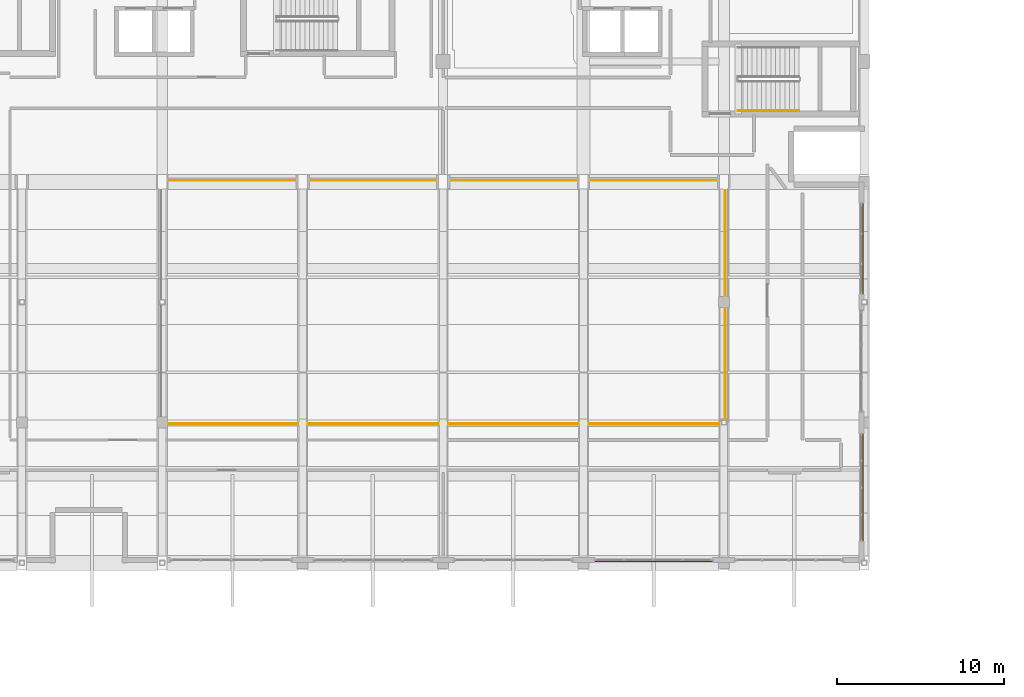
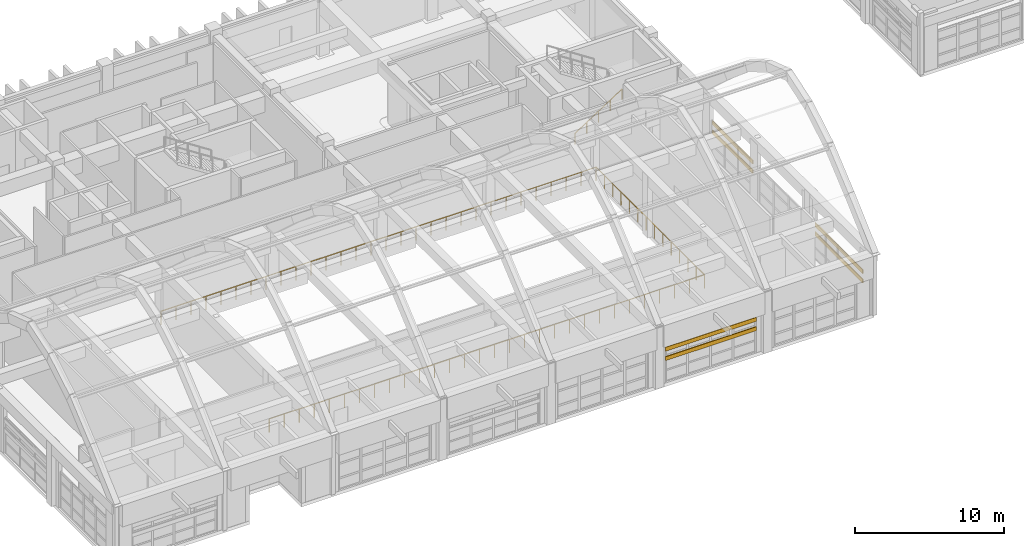
# One storey, part 99 of 103: 6 shading devices, 4 railings.
"""IFC4 building model written with IfcOpenShell, lengths in metres."""

from ifc_helpers import new_model, si_unit, direction, frame, origin, origin_2d, place, context, subcontext, project, spatial, hollow_rectangle, circle, extrude, material, material_profile, profile_set, type_object, element, save


model = new_model("IFC4")

# Units and contexts
model_context = context("Model", 3, precision=1e-05, world=origin(), true_north=direction((0.0, 1.0)))
body_context = subcontext(model_context, "Body", "Model", "MODEL_VIEW")
ifc_project = project(units=[si_unit("LENGTHUNIT", "METRE"), si_unit("AREAUNIT", "SQUARE_METRE"), si_unit("VOLUMEUNIT", "CUBIC_METRE"), si_unit("PLANEANGLEUNIT", "RADIAN"), si_unit("MASSUNIT", "GRAM", prefix="KILO")], contexts=[model_context])

# Site, building, storey
site_placement = place(None, origin())
site = spatial("IfcSite", under=ifc_project, at=site_placement, CompositionType="ELEMENT")
building_placement = place(site_placement, origin())
building = spatial("IfcBuilding", under=site, at=building_placement, Name="Quendrovan Civic Courthouse", CompositionType="ELEMENT")
storey_placement = place(building_placement, frame((0.0, 0.0, 15.300048828125)))
storey = spatial("IfcBuildingStorey", under=building, at=storey_placement, Name="L04", CompositionType="ELEMENT", Elevation=15.300048828125)

# Railings
ifc_material = material(Name="Bronze anodised aluminium", Category="aluminium")
railing_type_1 = type_object("IfcRailingType", Name="RL-ATR-GUARD1100", PredefinedType="GUARDRAIL", material=ifc_material)
railing_1_placement = place(storey_placement, frame((50.320068359375, 73.1201171875, 0.0)))
element("IfcRailing", 1, at=railing_1_placement, inside=storey, type_object=railing_type_1, Name="L04 Atrium and Well Perimeter Guardrail 024", PredefinedType="GUARDRAIL", context=body_context, shape_type="SweptSolid", body=[
    extrude(circle(Radius=0.02392578125, at=origin_2d()), frame((0.0, 0.0, 1.09619140625), z_axis=(1.0, 0.0, 0.0), x_axis=(0.0, 1.0, 0.0)), (0.0, 0.0, 1.0), 33.760009765625),
    extrude(circle(Radius=0.02099609375, at=origin_2d()), origin(), (0.0, 0.0, 1.0), 1.072021484375),
    extrude(circle(Radius=0.02099609375, at=origin_2d()), frame((1.1640625, 0.0, 0.0)), (0.0, 0.0, 1.0), 1.072021484375),
    extrude(circle(Radius=0.02099609375, at=origin_2d()), frame((2.328369140625, 0.0, 0.0)), (0.0, 0.0, 1.0), 1.072021484375),
    extrude(circle(Radius=0.02099609375, at=origin_2d()), frame((3.492431640625, 0.0, 0.0)), (0.0, 0.0, 1.0), 1.072021484375),
    extrude(circle(Radius=0.02099609375, at=origin_2d()), frame((4.656494140625, 0.0, 0.0)), (0.0, 0.0, 1.0), 1.072021484375),
    extrude(circle(Radius=0.02099609375, at=origin_2d()), frame((5.82080078125, 0.0, 0.0)), (0.0, 0.0, 1.0), 1.072021484375),
    extrude(circle(Radius=0.02099609375, at=origin_2d()), frame((6.98486328125, 0.0, 0.0)), (0.0, 0.0, 1.0), 1.072021484375),
    extrude(circle(Radius=0.02099609375, at=origin_2d()), frame((8.14892578125, 0.0, 0.0)), (0.0, 0.0, 1.0), 1.072021484375),
    extrude(circle(Radius=0.02099609375, at=origin_2d()), frame((9.31298828125, 0.0, 0.0)), (0.0, 0.0, 1.0), 1.072021484375),
    extrude(circle(Radius=0.02099609375, at=origin_2d()), frame((10.477294921875, 0.0, 0.0)), (0.0, 0.0, 1.0), 1.072021484375),
    extrude(circle(Radius=0.02099609375, at=origin_2d()), frame((11.641357421875, 0.0, 0.0)), (0.0, 0.0, 1.0), 1.072021484375),
    extrude(circle(Radius=0.02099609375, at=origin_2d()), frame((12.805419921875, 0.0, 0.0)), (0.0, 0.0, 1.0), 1.072021484375),
    extrude(circle(Radius=0.02099609375, at=origin_2d()), frame((13.9697265625, 0.0, 0.0)), (0.0, 0.0, 1.0), 1.072021484375),
    extrude(circle(Radius=0.02099609375, at=origin_2d()), frame((15.1337890625, 0.0, 0.0)), (0.0, 0.0, 1.0), 1.072021484375),
    extrude(circle(Radius=0.02099609375, at=origin_2d()), frame((16.2978515625, 0.0, 0.0)), (0.0, 0.0, 1.0), 1.072021484375),
    extrude(circle(Radius=0.02099609375, at=origin_2d()), frame((17.462158203125, 0.0, 0.0)), (0.0, 0.0, 1.0), 1.072021484375),
    extrude(circle(Radius=0.02099609375, at=origin_2d()), frame((18.626220703125, 0.0, 0.0)), (0.0, 0.0, 1.0), 1.072021484375),
    extrude(circle(Radius=0.02099609375, at=origin_2d()), frame((19.790283203125, 0.0, 0.0)), (0.0, 0.0, 1.0), 1.072021484375),
    extrude(circle(Radius=0.02099609375, at=origin_2d()), frame((20.95458984375, 0.0, 0.0)), (0.0, 0.0, 1.0), 1.072021484375),
    extrude(circle(Radius=0.02099609375, at=origin_2d()), frame((22.11865234375, 0.0, 0.0)), (0.0, 0.0, 1.0), 1.072021484375),
    extrude(circle(Radius=0.02099609375, at=origin_2d()), frame((23.28271484375, 0.0, 0.0)), (0.0, 0.0, 1.0), 1.072021484375),
    extrude(circle(Radius=0.02099609375, at=origin_2d()), frame((24.447021484375, 0.0, 0.0)), (0.0, 0.0, 1.0), 1.072021484375),
    extrude(circle(Radius=0.02099609375, at=origin_2d()), frame((25.611083984375, 0.0, 0.0)), (0.0, 0.0, 1.0), 1.072021484375),
    extrude(circle(Radius=0.02099609375, at=origin_2d()), frame((26.775146484375, 0.0, 0.0)), (0.0, 0.0, 1.0), 1.072021484375),
    extrude(circle(Radius=0.02099609375, at=origin_2d()), frame((27.939208984375, 0.0, 0.0)), (0.0, 0.0, 1.0), 1.072021484375),
    extrude(circle(Radius=0.02099609375, at=origin_2d()), frame((29.103515625, 0.0, 0.0)), (0.0, 0.0, 1.0), 1.072021484375),
    extrude(circle(Radius=0.02099609375, at=origin_2d()), frame((30.267578125, 0.0, 0.0)), (0.0, 0.0, 1.0), 1.072021484375),
    extrude(circle(Radius=0.02099609375, at=origin_2d()), frame((31.431640625, 0.0, 0.0)), (0.0, 0.0, 1.0), 1.072021484375),
    extrude(circle(Radius=0.02099609375, at=origin_2d()), frame((32.595947265625, 0.0, 0.0)), (0.0, 0.0, 1.0), 1.072021484375),
    extrude(circle(Radius=0.02099609375, at=origin_2d()), frame((33.760009765625, 0.0, 0.0)), (0.0, 0.0, 1.0), 1.072021484375),
])
railing_2_placement = place(storey_placement, frame((84.080078125, 73.1201171875, 0.0)))
element("IfcRailing", 2, at=railing_2_placement, inside=storey, type_object=railing_type_1, Name="L04 Atrium and Well Perimeter Guardrail 025", PredefinedType="GUARDRAIL", context=body_context, shape_type="SweptSolid", body=[
    extrude(circle(Radius=0.02392578125, at=origin_2d()), frame((0.0, 0.0, 1.09619140625), z_axis=(0.0, 1.0, 0.0), x_axis=(-1.0, 0.0, 0.0)), (0.0, 0.0, 1.0), 14.559814453125),
    extrude(circle(Radius=0.02099609375, at=origin_2d()), origin(), (0.0, 0.0, 1.0), 1.072021484375),
    extrude(circle(Radius=0.02099609375, at=origin_2d()), frame((0.0, 1.119873046875, 0.0)), (0.0, 0.0, 1.0), 1.072021484375),
    extrude(circle(Radius=0.02099609375, at=origin_2d()), frame((0.0, 2.239990234375, 0.0)), (0.0, 0.0, 1.0), 1.072021484375),
    extrude(circle(Radius=0.02099609375, at=origin_2d()), frame((0.0, 3.35986328125, 0.0)), (0.0, 0.0, 1.0), 1.072021484375),
    extrude(circle(Radius=0.02099609375, at=origin_2d()), frame((0.0, 4.47998046875, 0.0)), (0.0, 0.0, 1.0), 1.072021484375),
    extrude(circle(Radius=0.02099609375, at=origin_2d()), frame((0.0, 5.599853515625, 0.0)), (0.0, 0.0, 1.0), 1.072021484375),
    extrude(circle(Radius=0.02099609375, at=origin_2d()), frame((0.0, 6.719970703125, 0.0)), (0.0, 0.0, 1.0), 1.072021484375),
    extrude(circle(Radius=0.02099609375, at=origin_2d()), frame((0.0, 7.83984375, 0.0)), (0.0, 0.0, 1.0), 1.072021484375),
    extrude(circle(Radius=0.02099609375, at=origin_2d()), frame((0.0, 8.9599609375, 0.0)), (0.0, 0.0, 1.0), 1.072021484375),
    extrude(circle(Radius=0.02099609375, at=origin_2d()), frame((0.0, 10.079833984375, 0.0)), (0.0, 0.0, 1.0), 1.072021484375),
    extrude(circle(Radius=0.02099609375, at=origin_2d()), frame((0.0, 11.199951171875, 0.0)), (0.0, 0.0, 1.0), 1.072021484375),
    extrude(circle(Radius=0.02099609375, at=origin_2d()), frame((0.0, 12.31982421875, 0.0)), (0.0, 0.0, 1.0), 1.072021484375),
    extrude(circle(Radius=0.02099609375, at=origin_2d()), frame((0.0, 13.43994140625, 0.0)), (0.0, 0.0, 1.0), 1.072021484375),
    extrude(circle(Radius=0.02099609375, at=origin_2d()), frame((0.0, 14.559814453125, 0.0)), (0.0, 0.0, 1.0), 1.072021484375),
])
railing_3_placement = place(storey_placement, frame((84.080078125, 87.679931640625, 0.0)))
element("IfcRailing", 3, at=railing_3_placement, inside=storey, type_object=railing_type_1, Name="L04 Atrium and Well Perimeter Guardrail 026", PredefinedType="GUARDRAIL", context=body_context, shape_type="SweptSolid", body=[
    extrude(circle(Radius=0.02392578125, at=origin_2d()), frame((0.0, 0.0, 1.09619140625), z_axis=(-1.0, 0.0, 0.0), x_axis=(0.0, -1.0, 0.0)), (0.0, 0.0, 1.0), 33.760009765625),
    extrude(circle(Radius=0.02099609375, at=origin_2d()), origin(), (0.0, 0.0, 1.0), 1.072021484375),
    extrude(circle(Radius=0.02099609375, at=origin_2d()), frame((-1.1640625, 0.0, 0.0)), (0.0, 0.0, 1.0), 1.072021484375),
    extrude(circle(Radius=0.02099609375, at=origin_2d()), frame((-2.328369140625, 0.0, 0.0)), (0.0, 0.0, 1.0), 1.072021484375),
    extrude(circle(Radius=0.02099609375, at=origin_2d()), frame((-3.492431640625, 0.0, 0.0)), (0.0, 0.0, 1.0), 1.072021484375),
    extrude(circle(Radius=0.02099609375, at=origin_2d()), frame((-4.656494140625, 0.0, 0.0)), (0.0, 0.0, 1.0), 1.072021484375),
    extrude(circle(Radius=0.02099609375, at=origin_2d()), frame((-5.82080078125, 0.0, 0.0)), (0.0, 0.0, 1.0), 1.072021484375),
    extrude(circle(Radius=0.02099609375, at=origin_2d()), frame((-6.98486328125, 0.0, 0.0)), (0.0, 0.0, 1.0), 1.072021484375),
    extrude(circle(Radius=0.02099609375, at=origin_2d()), frame((-8.14892578125, 0.0, 0.0)), (0.0, 0.0, 1.0), 1.072021484375),
    extrude(circle(Radius=0.02099609375, at=origin_2d()), frame((-9.31298828125, 0.0, 0.0)), (0.0, 0.0, 1.0), 1.072021484375),
    extrude(circle(Radius=0.02099609375, at=origin_2d()), frame((-10.477294921875, 0.0, 0.0)), (0.0, 0.0, 1.0), 1.072021484375),
    extrude(circle(Radius=0.02099609375, at=origin_2d()), frame((-11.641357421875, 0.0, 0.0)), (0.0, 0.0, 1.0), 1.072021484375),
    extrude(circle(Radius=0.02099609375, at=origin_2d()), frame((-12.805419921875, 0.0, 0.0)), (0.0, 0.0, 1.0), 1.072021484375),
    extrude(circle(Radius=0.02099609375, at=origin_2d()), frame((-13.9697265625, 0.0, 0.0)), (0.0, 0.0, 1.0), 1.072021484375),
    extrude(circle(Radius=0.02099609375, at=origin_2d()), frame((-15.1337890625, 0.0, 0.0)), (0.0, 0.0, 1.0), 1.072021484375),
    extrude(circle(Radius=0.02099609375, at=origin_2d()), frame((-16.2978515625, 0.0, 0.0)), (0.0, 0.0, 1.0), 1.072021484375),
    extrude(circle(Radius=0.02099609375, at=origin_2d()), frame((-17.462158203125, 0.0, 0.0)), (0.0, 0.0, 1.0), 1.072021484375),
    extrude(circle(Radius=0.02099609375, at=origin_2d()), frame((-18.626220703125, 0.0, 0.0)), (0.0, 0.0, 1.0), 1.072021484375),
    extrude(circle(Radius=0.02099609375, at=origin_2d()), frame((-19.790283203125, 0.0, 0.0)), (0.0, 0.0, 1.0), 1.072021484375),
    extrude(circle(Radius=0.02099609375, at=origin_2d()), frame((-20.95458984375, 0.0, 0.0)), (0.0, 0.0, 1.0), 1.072021484375),
    extrude(circle(Radius=0.02099609375, at=origin_2d()), frame((-22.11865234375, 0.0, 0.0)), (0.0, 0.0, 1.0), 1.072021484375),
    extrude(circle(Radius=0.02099609375, at=origin_2d()), frame((-23.28271484375, 0.0, 0.0)), (0.0, 0.0, 1.0), 1.072021484375),
    extrude(circle(Radius=0.02099609375, at=origin_2d()), frame((-24.447021484375, 0.0, 0.0)), (0.0, 0.0, 1.0), 1.072021484375),
    extrude(circle(Radius=0.02099609375, at=origin_2d()), frame((-25.611083984375, 0.0, 0.0)), (0.0, 0.0, 1.0), 1.072021484375),
    extrude(circle(Radius=0.02099609375, at=origin_2d()), frame((-26.775146484375, 0.0, 0.0)), (0.0, 0.0, 1.0), 1.072021484375),
    extrude(circle(Radius=0.02099609375, at=origin_2d()), frame((-27.939208984375, 0.0, 0.0)), (0.0, 0.0, 1.0), 1.072021484375),
    extrude(circle(Radius=0.02099609375, at=origin_2d()), frame((-29.103515625, 0.0, 0.0)), (0.0, 0.0, 1.0), 1.072021484375),
    extrude(circle(Radius=0.02099609375, at=origin_2d()), frame((-30.267578125, 0.0, 0.0)), (0.0, 0.0, 1.0), 1.072021484375),
    extrude(circle(Radius=0.02099609375, at=origin_2d()), frame((-31.431640625, 0.0, 0.0)), (0.0, 0.0, 1.0), 1.072021484375),
    extrude(circle(Radius=0.02099609375, at=origin_2d()), frame((-32.595947265625, 0.0, 0.0)), (0.0, 0.0, 1.0), 1.072021484375),
    extrude(circle(Radius=0.02099609375, at=origin_2d()), frame((-33.760009765625, 0.0, 0.0)), (0.0, 0.0, 1.0), 1.072021484375),
])
railing_type_2 = type_object("IfcRailingType", Name="RL-STR-HAND900", PredefinedType="HANDRAIL", material=ifc_material)
railing_4_placement = place(storey_placement, frame((84.85009765625, 91.85009765625, 0.18212890625)))
element("IfcRailing", 4, at=railing_4_placement, inside=storey, type_object=railing_type_2, Name="L04 ST3 stair handrail 1", PredefinedType="HANDRAIL", context=body_context, shape_type="SweptSolid", body=[
    extrude(circle(Radius=0.02392578125, at=origin_2d()), frame((0.0, 0.0, 0.8759765625), z_axis=(0.838234174257, 0.0, 0.545310433706), x_axis=(0.0, 1.0, 0.0)), (0.0, 0.0, 1.0), 4.34228515625),
    extrude(circle(Radius=0.02099609375, at=origin_2d()), origin(), (0.0, 0.0, 1.0), 0.851806640625),
    extrude(circle(Radius=0.02099609375, at=origin_2d()), frame((0.909912109375, 0.0, 0.592041015625)), (0.0, 0.0, 1.0), 0.851806640625),
    extrude(circle(Radius=0.02099609375, at=origin_2d()), frame((1.81982421875, 0.0, 1.18408203125)), (0.0, 0.0, 1.0), 0.851806640625),
    extrude(circle(Radius=0.02099609375, at=origin_2d()), frame((2.72998046875, 0.0, 1.77587890625)), (0.0, 0.0, 1.0), 0.851806640625),
    extrude(circle(Radius=0.02099609375, at=origin_2d()), frame((3.639892578125, 0.0, 2.367919921875)), (0.0, 0.0, 1.0), 0.851806640625),
])

# Shading devices
ifc_material_profile = material_profile(ifc_material, hollow_rectangle(XDim=0.06494140625, YDim=0.320068359375, WallThickness=0.0048828125, at=origin_2d()), Name="AL-LOUVRE-65x320")
ifc_profile_set = profile_set([ifc_material_profile], Name="Bronze anodised aluminium")
shading_device_type = type_object("IfcShadingDeviceType", Name="SHD-STORM-LOUVRE", PredefinedType="JALOUSIE", material=ifc_profile_set)
for number, where, z_axis, x_axis, name in (
    (5, (92.31494140625, 86.300048828125, 1.949951171875), (0.0, -1.0, 0.0), (1.0, 0.0, 0.0), "L04 Bronze Hurricane Storm Louvre SLV-155"),
    (6, (92.31494140625, 86.300048828125, 2.719970703125), (0.0, -1.0, 0.0), (1.0, 0.0, 0.0), "L04 Bronze Hurricane Storm Louvre SLV-156"),
):
    element("IfcShadingDevice", number, at=place(storey_placement, frame(where, z_axis=z_axis, x_axis=x_axis)), inside=storey, type_object=shading_device_type, Name=name, PredefinedType="JALOUSIE", context=body_context, shape_type="SweptSolid", body=[
        extrude(hollow_rectangle(XDim=0.06494140625, YDim=0.320068359375, WallThickness=0.0048828125, at=origin_2d()), origin(), (0.0, 0.0, 1.0), 5.400146484375),
    ])
for number, where, z_axis, x_axis, name in (
    (7, (92.31494140625, 72.52490234375, 1.949951171875), (0.0, -1.0, 0.0), (1.0, 0.0, 0.0), "L04 Bronze Hurricane Storm Louvre SLV-157"),
    (8, (92.31494140625, 72.52490234375, 2.719970703125), (0.0, -1.0, 0.0), (1.0, 0.0, 0.0), "L04 Bronze Hurricane Storm Louvre SLV-158"),
):
    element("IfcShadingDevice", number, at=place(storey_placement, frame(where, z_axis=z_axis, x_axis=x_axis)), inside=storey, type_object=shading_device_type, Name=name, PredefinedType="JALOUSIE", context=body_context, shape_type="SweptSolid", body=[
        extrude(hollow_rectangle(XDim=0.06494140625, YDim=0.320068359375, WallThickness=0.0048828125, at=origin_2d()), origin(), (0.0, 0.0, 1.0), 6.4248046875),
    ])
for number, where, z_axis, x_axis, name in (
    (9, (83.324951171875, 64.885009765625, 1.949951171875), (-1.0, 0.0, 0.0), (0.0, -1.0, 0.0), "L04 Bronze Hurricane Storm Louvre SLV-159"),
    (10, (83.324951171875, 64.885009765625, 2.719970703125), (-1.0, 0.0, 0.0), (0.0, -1.0, 0.0), "L04 Bronze Hurricane Storm Louvre SLV-160"),
):
    element("IfcShadingDevice", number, at=place(storey_placement, frame(where, z_axis=z_axis, x_axis=x_axis)), inside=storey, type_object=shading_device_type, Name=name, PredefinedType="JALOUSIE", context=body_context, shape_type="SweptSolid", body=[
        extrude(hollow_rectangle(XDim=0.06494140625, YDim=0.320068359375, WallThickness=0.0048828125, at=origin_2d()), origin(), (0.0, 0.0, 1.0), 7.050048828125),
    ])

save(model, "model.ifc")
